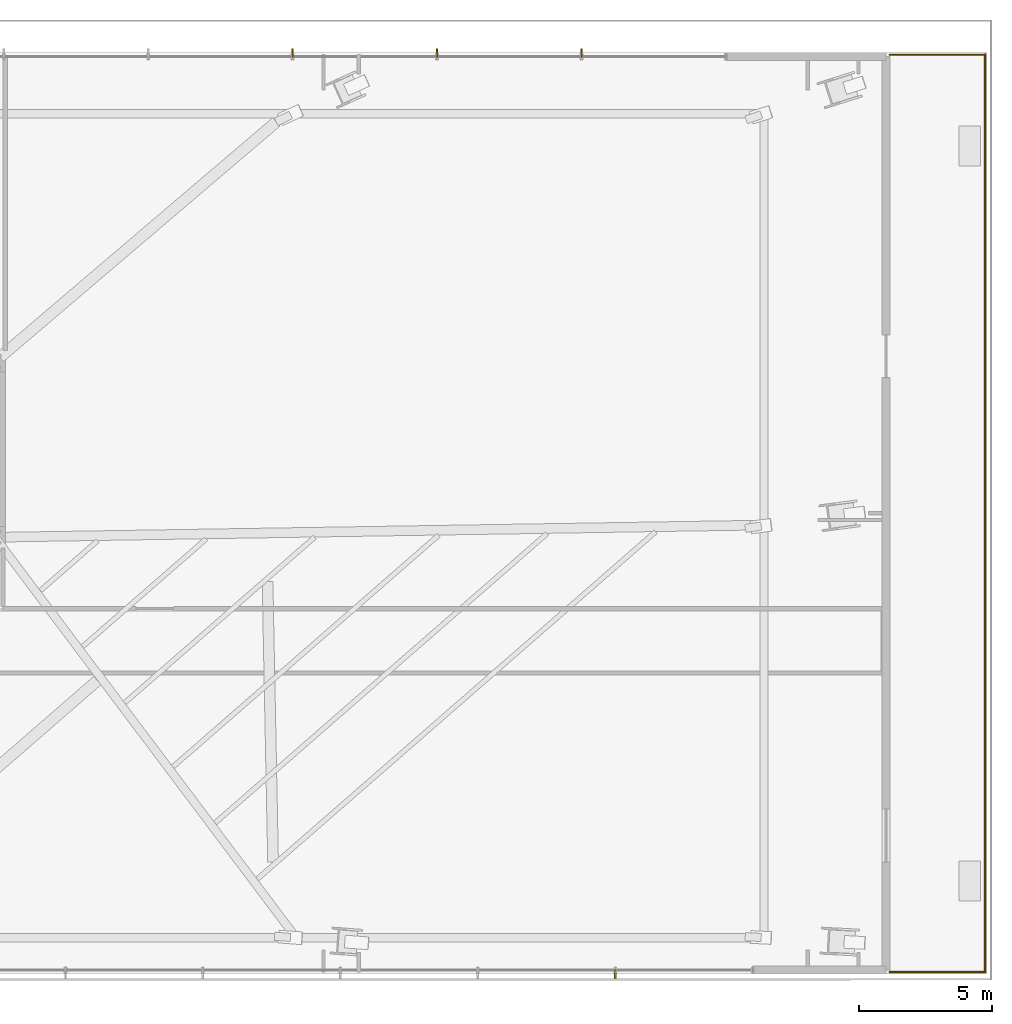
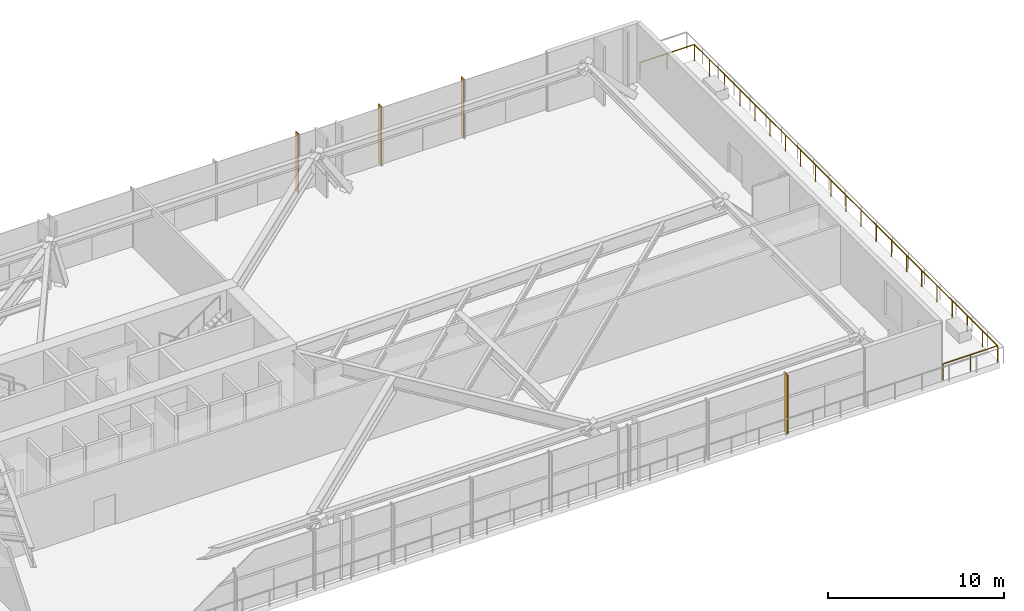
# One storey, part 35 of 36: 4 shading devices, 2 railings.
"""IFC4 building model written with IfcOpenShell, lengths in metres."""

from ifc_helpers import new_model, si_unit, direction, frame, origin, origin_2d, place, context, subcontext, project, spatial, rectangle, extrude, source, transform, mapped, material, type_object, type_shapes, element, save


model = new_model("IFC4")

# Units and contexts
model_context = context("Model", 3, precision=1e-05, world=origin(), true_north=direction((0.0, 1.0)))
body_context = subcontext(model_context, "Body", "Model", "MODEL_VIEW")
ifc_project = project(units=[si_unit("LENGTHUNIT", "METRE"), si_unit("AREAUNIT", "SQUARE_METRE"), si_unit("VOLUMEUNIT", "CUBIC_METRE"), si_unit("PLANEANGLEUNIT", "RADIAN"), si_unit("MASSUNIT", "GRAM", prefix="KILO")], contexts=[model_context])

# Site, building, storey
site_placement = place(None, origin())
site = spatial("IfcSite", under=ifc_project, at=site_placement, CompositionType="ELEMENT")
building_placement = place(site_placement, origin())
building = spatial("IfcBuilding", under=site, at=building_placement, Name="Astriad Promenade Condominiums", CompositionType="ELEMENT")
storey_placement = place(building_placement, frame((0.0, 0.0, 5.0)))
storey = spatial("IfcBuildingStorey", under=building, at=storey_placement, Name="L01", CompositionType="ELEMENT", Elevation=5.0)

# Shading devices
ifc_material_1 = material(Name="Anodised aluminium 6063-T6 Black Fin", Category="aluminium")
shading_device_type = type_object("IfcShadingDeviceType", Name="FIN-BLACK-320", PredefinedType="USERDEFINED", material=ifc_material_1)
shared_shape_1 = source(origin(), body_context, "Body", "SweptSolid", [
    extrude(rectangle(XDim=0.06494140625, YDim=0.320068359375, at=origin_2d()), origin(), (0.0, 0.0, 1.0), 4.080078125),
])
type_shapes(shading_device_type, [shared_shape_1])
for number, where, z_axis, x_axis, name in (
    (1, (56.77490234375, 35.590087890625, 0.0), (0.0, 0.0, 1.0), (1.0, 0.0, 0.0), "CW-L01-N-FIN-09"),
    (2, (62.199951171875, 35.590087890625, 0.0), (0.0, 0.0, 1.0), (1.0, 0.0, 0.0), "CW-L01-N-FIN-10"),
    (3, (67.625, 35.590087890625, 0.0), (0.0, 0.0, 1.0), (1.0, 0.0, 0.0), "CW-L01-N-FIN-11"),
    (4, (68.888427734375, 1.010009765625, 0.0), (0.0, 0.0, 1.0), (-1.0, 0.0, 0.0), "CW-L01-S-FIN-01"),
):
    element("IfcShadingDevice", number, at=place(storey_placement, frame(where, z_axis=z_axis, x_axis=x_axis)), inside=storey, type_object=shading_device_type, Name=name, ObjectType="FIN", PredefinedType="USERDEFINED", context=body_context, shape_type="MappedRepresentation", body=[
        mapped(shared_shape_1, transform((0.0, 0.0, 0.0), scale=1.0)),
    ])

# Railings
ifc_material_2 = material(Name="Anodised Aluminium and Glass Terrace Guardrail", Category="aluminium")
railing_type = type_object("IfcRailingType", Name="GRD-TERR-1150", PredefinedType="GUARDRAIL", material=ifc_material_2)
shared_shape_2 = source(origin(), body_context, "Body", "SweptSolid", [
    extrude(rectangle(XDim=0.048095703125, YDim=0.048095703125, at=origin_2d()), frame((0.0, 0.0, 1.1259765625), z_axis=(1.0, 0.0, 0.0), x_axis=(0.0, 1.0, 0.0)), (0.0, 0.0, 1.0), 3.570068359375),
    extrude(rectangle(XDim=0.048095703125, YDim=0.048095703125, at=origin_2d()), frame((3.570068359375, 0.0, 1.1259765625), z_axis=(0.0, 1.0, 0.0), x_axis=(-1.0, 0.0, 0.0)), (0.0, 0.0, 1.0), 34.43994140625),
    extrude(rectangle(XDim=0.048095703125, YDim=0.048095703125, at=origin_2d()), frame((3.570068359375, 34.43994140625, 1.1259765625), z_axis=(-1.0, 0.0, 0.0), x_axis=(0.0, -1.0, 0.0)), (0.0, 0.0, 1.0), 3.570068359375),
    extrude(rectangle(XDim=0.0419921875, YDim=0.0419921875, at=origin_2d()), origin(), (0.0, 0.0, 1.0), 1.101806640625),
    extrude(rectangle(XDim=0.0419921875, YDim=0.0419921875, at=origin_2d()), frame((1.78515625, 0.0, 0.0)), (0.0, 0.0, 1.0), 1.101806640625),
    extrude(rectangle(XDim=0.0419921875, YDim=0.0419921875, at=origin_2d()), frame((3.570068359375, 0.0, 0.0)), (0.0, 0.0, 1.0), 1.101806640625),
    extrude(rectangle(XDim=0.0419921875, YDim=0.0419921875, at=origin_2d()), frame((3.570068359375, 1.721923828125, 0.0)), (0.0, 0.0, 1.0), 1.101806640625),
    extrude(rectangle(XDim=0.0419921875, YDim=0.0419921875, at=origin_2d()), frame((3.570068359375, 3.444091796875, 0.0)), (0.0, 0.0, 1.0), 1.101806640625),
    extrude(rectangle(XDim=0.0419921875, YDim=0.0419921875, at=origin_2d()), frame((3.570068359375, 5.166015625, 0.0)), (0.0, 0.0, 1.0), 1.101806640625),
    extrude(rectangle(XDim=0.0419921875, YDim=0.0419921875, at=origin_2d()), frame((3.570068359375, 6.887939453125, 0.0)), (0.0, 0.0, 1.0), 1.101806640625),
    extrude(rectangle(XDim=0.0419921875, YDim=0.0419921875, at=origin_2d()), frame((3.570068359375, 8.60986328125, 0.0)), (0.0, 0.0, 1.0), 1.101806640625),
    extrude(rectangle(XDim=0.0419921875, YDim=0.0419921875, at=origin_2d()), frame((3.570068359375, 10.33203125, 0.0)), (0.0, 0.0, 1.0), 1.101806640625),
    extrude(rectangle(XDim=0.0419921875, YDim=0.0419921875, at=origin_2d()), frame((3.570068359375, 12.053955078125, 0.0)), (0.0, 0.0, 1.0), 1.101806640625),
    extrude(rectangle(XDim=0.0419921875, YDim=0.0419921875, at=origin_2d()), frame((3.570068359375, 13.77587890625, 0.0)), (0.0, 0.0, 1.0), 1.101806640625),
    extrude(rectangle(XDim=0.0419921875, YDim=0.0419921875, at=origin_2d()), frame((3.570068359375, 15.498046875, 0.0)), (0.0, 0.0, 1.0), 1.101806640625),
    extrude(rectangle(XDim=0.0419921875, YDim=0.0419921875, at=origin_2d()), frame((3.570068359375, 17.219970703125, 0.0)), (0.0, 0.0, 1.0), 1.101806640625),
    extrude(rectangle(XDim=0.0419921875, YDim=0.0419921875, at=origin_2d()), frame((3.570068359375, 18.94189453125, 0.0)), (0.0, 0.0, 1.0), 1.101806640625),
    extrude(rectangle(XDim=0.0419921875, YDim=0.0419921875, at=origin_2d()), frame((3.570068359375, 20.6640625, 0.0)), (0.0, 0.0, 1.0), 1.101806640625),
    extrude(rectangle(XDim=0.0419921875, YDim=0.0419921875, at=origin_2d()), frame((3.570068359375, 22.385986328125, 0.0)), (0.0, 0.0, 1.0), 1.101806640625),
    extrude(rectangle(XDim=0.0419921875, YDim=0.0419921875, at=origin_2d()), frame((3.570068359375, 24.10791015625, 0.0)), (0.0, 0.0, 1.0), 1.101806640625),
    extrude(rectangle(XDim=0.0419921875, YDim=0.0419921875, at=origin_2d()), frame((3.570068359375, 25.830078125, 0.0)), (0.0, 0.0, 1.0), 1.101806640625),
    extrude(rectangle(XDim=0.0419921875, YDim=0.0419921875, at=origin_2d()), frame((3.570068359375, 27.552001953125, 0.0)), (0.0, 0.0, 1.0), 1.101806640625),
    extrude(rectangle(XDim=0.0419921875, YDim=0.0419921875, at=origin_2d()), frame((3.570068359375, 29.27392578125, 0.0)), (0.0, 0.0, 1.0), 1.101806640625),
    extrude(rectangle(XDim=0.0419921875, YDim=0.0419921875, at=origin_2d()), frame((3.570068359375, 30.995849609375, 0.0)), (0.0, 0.0, 1.0), 1.101806640625),
    extrude(rectangle(XDim=0.0419921875, YDim=0.0419921875, at=origin_2d()), frame((3.570068359375, 32.718017578125, 0.0)), (0.0, 0.0, 1.0), 1.101806640625),
    extrude(rectangle(XDim=0.0419921875, YDim=0.0419921875, at=origin_2d()), frame((3.570068359375, 34.43994140625, 0.0)), (0.0, 0.0, 1.0), 1.101806640625),
    extrude(rectangle(XDim=0.0419921875, YDim=0.0419921875, at=origin_2d()), frame((1.78515625, 34.43994140625, 0.0)), (0.0, 0.0, 1.0), 1.101806640625),
    extrude(rectangle(XDim=0.0419921875, YDim=0.0419921875, at=origin_2d()), frame((0.0, 34.43994140625, 0.0)), (0.0, 0.0, 1.0), 1.101806640625),
])
railing_1_placement = place(storey_placement, frame((79.199951171875, 1.080078125, 0.0)))
element("IfcRailing", 5, at=railing_1_placement, inside=storey, type_object=railing_type, Name="GRD-TER-L01-1", PredefinedType="GUARDRAIL", context=body_context, shape_type="MappedRepresentation", body=[
    mapped(shared_shape_2, transform((0.0, 0.0, 0.0), scale=1.0)),
])
shared_shape_3 = source(origin(), body_context, "Body", "SweptSolid", [
    extrude(rectangle(XDim=0.048095703125, YDim=0.048095703125, at=origin_2d()), frame((0.0, 0.0, 1.1259765625), z_axis=(1.0, 0.0, 0.0), x_axis=(0.0, 1.0, 0.0)), (0.0, 0.0, 1.0), 3.580078125),
    extrude(rectangle(XDim=0.048095703125, YDim=0.048095703125, at=origin_2d()), frame((3.580078125, 0.0, 1.1259765625), z_axis=(0.0, 1.0, 0.0), x_axis=(-1.0, 0.0, 0.0)), (0.0, 0.0, 1.0), 34.461669921875),
    extrude(rectangle(XDim=0.0419921875, YDim=0.0419921875, at=origin_2d()), origin(), (0.0, 0.0, 1.0), 1.101806640625),
    extrude(rectangle(XDim=0.0419921875, YDim=0.0419921875, at=origin_2d()), frame((1.7900390625, 0.0, 0.0)), (0.0, 0.0, 1.0), 1.101806640625),
    extrude(rectangle(XDim=0.0419921875, YDim=0.0419921875, at=origin_2d()), frame((3.580078125, 0.0, 0.0)), (0.0, 0.0, 1.0), 1.101806640625),
    extrude(rectangle(XDim=0.0419921875, YDim=0.0419921875, at=origin_2d()), frame((3.580078125, 1.72314453125, 0.0)), (0.0, 0.0, 1.0), 1.101806640625),
    extrude(rectangle(XDim=0.0419921875, YDim=0.0419921875, at=origin_2d()), frame((3.580078125, 3.4462890625, 0.0)), (0.0, 0.0, 1.0), 1.101806640625),
    extrude(rectangle(XDim=0.0419921875, YDim=0.0419921875, at=origin_2d()), frame((3.580078125, 5.169189453125, 0.0)), (0.0, 0.0, 1.0), 1.101806640625),
    extrude(rectangle(XDim=0.0419921875, YDim=0.0419921875, at=origin_2d()), frame((3.580078125, 6.892333984375, 0.0)), (0.0, 0.0, 1.0), 1.101806640625),
    extrude(rectangle(XDim=0.0419921875, YDim=0.0419921875, at=origin_2d()), frame((3.580078125, 8.615478515625, 0.0)), (0.0, 0.0, 1.0), 1.101806640625),
    extrude(rectangle(XDim=0.0419921875, YDim=0.0419921875, at=origin_2d()), frame((3.580078125, 10.33837890625, 0.0)), (0.0, 0.0, 1.0), 1.101806640625),
    extrude(rectangle(XDim=0.0419921875, YDim=0.0419921875, at=origin_2d()), frame((3.580078125, 12.0615234375, 0.0)), (0.0, 0.0, 1.0), 1.101806640625),
    extrude(rectangle(XDim=0.0419921875, YDim=0.0419921875, at=origin_2d()), frame((3.580078125, 13.78466796875, 0.0)), (0.0, 0.0, 1.0), 1.101806640625),
    extrude(rectangle(XDim=0.0419921875, YDim=0.0419921875, at=origin_2d()), frame((3.580078125, 15.5078125, 0.0)), (0.0, 0.0, 1.0), 1.101806640625),
    extrude(rectangle(XDim=0.0419921875, YDim=0.0419921875, at=origin_2d()), frame((3.580078125, 17.23095703125, 0.0)), (0.0, 0.0, 1.0), 1.101806640625),
    extrude(rectangle(XDim=0.0419921875, YDim=0.0419921875, at=origin_2d()), frame((3.580078125, 18.953857421875, 0.0)), (0.0, 0.0, 1.0), 1.101806640625),
    extrude(rectangle(XDim=0.0419921875, YDim=0.0419921875, at=origin_2d()), frame((3.580078125, 20.677001953125, 0.0)), (0.0, 0.0, 1.0), 1.101806640625),
    extrude(rectangle(XDim=0.0419921875, YDim=0.0419921875, at=origin_2d()), frame((3.580078125, 22.400146484375, 0.0)), (0.0, 0.0, 1.0), 1.101806640625),
    extrude(rectangle(XDim=0.0419921875, YDim=0.0419921875, at=origin_2d()), frame((3.580078125, 24.123046875, 0.0)), (0.0, 0.0, 1.0), 1.101806640625),
    extrude(rectangle(XDim=0.0419921875, YDim=0.0419921875, at=origin_2d()), frame((3.580078125, 25.84619140625, 0.0)), (0.0, 0.0, 1.0), 1.101806640625),
    extrude(rectangle(XDim=0.0419921875, YDim=0.0419921875, at=origin_2d()), frame((3.580078125, 27.5693359375, 0.0)), (0.0, 0.0, 1.0), 1.101806640625),
    extrude(rectangle(XDim=0.0419921875, YDim=0.0419921875, at=origin_2d()), frame((3.580078125, 29.29248046875, 0.0)), (0.0, 0.0, 1.0), 1.101806640625),
    extrude(rectangle(XDim=0.0419921875, YDim=0.0419921875, at=origin_2d()), frame((3.580078125, 31.015625, 0.0)), (0.0, 0.0, 1.0), 1.101806640625),
    extrude(rectangle(XDim=0.0419921875, YDim=0.0419921875, at=origin_2d()), frame((3.580078125, 32.738525390625, 0.0)), (0.0, 0.0, 1.0), 1.101806640625),
    extrude(rectangle(XDim=0.0419921875, YDim=0.0419921875, at=origin_2d()), frame((3.580078125, 34.461669921875, 0.0)), (0.0, 0.0, 1.0), 1.101806640625),
])
type_shapes(railing_type, [shared_shape_2, shared_shape_3])
railing_2_placement = place(storey_placement, frame((79.199951171875, 1.070068359375, 0.0)))
element("IfcRailing", 6, at=railing_2_placement, inside=storey, type_object=railing_type, Name="GRD-PSTEP-L01-03", PredefinedType="GUARDRAIL", context=body_context, shape_type="MappedRepresentation", body=[
    mapped(shared_shape_3, transform((0.0, 0.0, 0.0), scale=1.0)),
])

save(model, "model.ifc")
